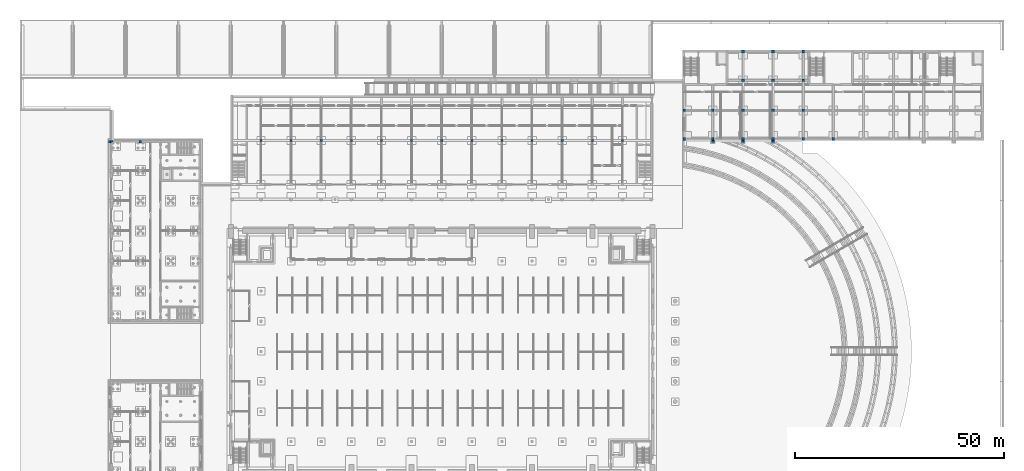
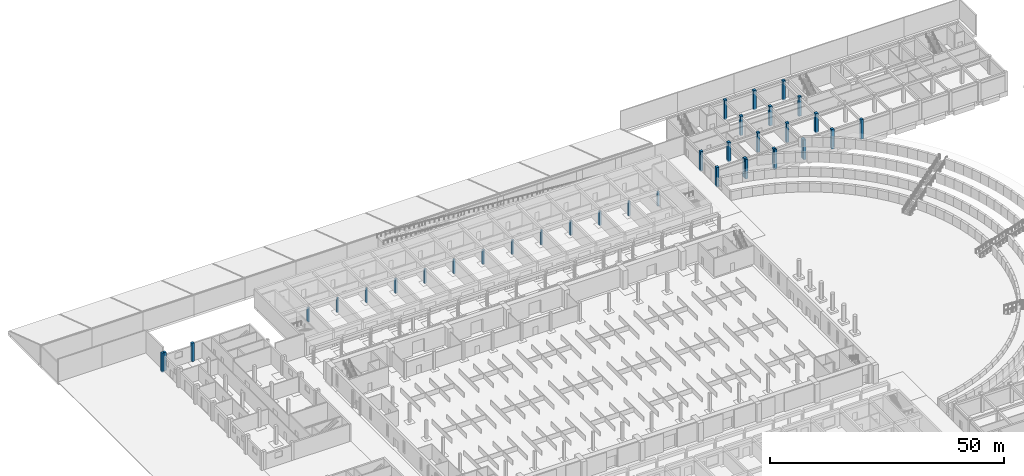
# One storey, part 18 of 73: 36 columns.
"""IFC4 building model written with IfcOpenShell, lengths in metres."""

from ifc_helpers import new_model, si_unit, direction, frame, origin, origin_2d, place, context, subcontext, project, spatial, rectangle, extrude, material, material_profile, profile_set, type_object, element, save


model = new_model("IFC4")

# Units and contexts
model_context = context("Model", 3, precision=1e-05, world=origin(), true_north=direction((0.0, 1.0)))
body_context = subcontext(model_context, "Body", "Model", "MODEL_VIEW")
ifc_project = project(units=[si_unit("LENGTHUNIT", "METRE"), si_unit("AREAUNIT", "SQUARE_METRE"), si_unit("VOLUMEUNIT", "CUBIC_METRE"), si_unit("PLANEANGLEUNIT", "RADIAN"), si_unit("MASSUNIT", "GRAM", prefix="KILO")], contexts=[model_context])

# Site, building, storey
site_placement = place(None, origin())
site = spatial("IfcSite", under=ifc_project, at=site_placement, CompositionType="ELEMENT")
building_placement = place(site_placement, origin())
building = spatial("IfcBuilding", under=site, at=building_placement, Name="Alderwick Market Hall", CompositionType="ELEMENT")
storey_placement = place(building_placement, origin())
storey = spatial("IfcBuildingStorey", under=building, at=storey_placement, Name="LG", CompositionType="ELEMENT", Elevation=0.0)

# Columns
ifc_material_1 = material(Name="Concrete 5000 psi (f'c 35 MPa)", Category="concrete")
ifc_material_profile_1 = material_profile(ifc_material_1, rectangle(XDim=0.5, YDim=0.5, at=origin_2d()), Name="A RC Column 500x500")
ifc_profile_set_1 = profile_set([ifc_material_profile_1], Name="Concrete 5000 psi (f'c 35 MPa)")
column_type_1 = type_object("IfcColumnType", Name="A RC Column 500x500", PredefinedType="COLUMN", material=ifc_profile_set_1)
for number, where, z_axis, x_axis, name in (
    (1, (57.60009765625, 129.60009765625, 0.0), (0.0, 0.0, 1.0), (1.0, 0.0, 0.0), "A.N.col.M00"),
    (2, (64.800048828125, 129.60009765625, 0.0), (0.0, 0.0, 1.0), (1.0, 0.0, 0.0), "A.N.col.M01"),
    (3, (72.0, 129.60009765625, 0.0), (0.0, 0.0, 1.0), (1.0, 0.0, 0.0), "A.N.col.M02"),
    (4, (79.199951171875, 129.60009765625, 0.0), (0.0, 0.0, 1.0), (1.0, 0.0, 0.0), "A.N.col.M03"),
    (5, (86.39990234375, 129.60009765625, 0.0), (0.0, 0.0, 1.0), (1.0, 0.0, 0.0), "A.N.col.M04"),
    (6, (93.60009765625, 129.60009765625, 0.0), (0.0, 0.0, 1.0), (1.0, 0.0, 0.0), "A.N.col.M05"),
    (7, (100.800048828125, 129.60009765625, 0.0), (0.0, 0.0, 1.0), (1.0, 0.0, 0.0), "A.N.col.M06"),
    (8, (108.0, 129.60009765625, 0.0), (0.0, 0.0, 1.0), (1.0, 0.0, 0.0), "A.N.col.M07"),
    (9, (115.199951171875, 129.60009765625, 0.0), (0.0, 0.0, 1.0), (1.0, 0.0, 0.0), "A.N.col.M08"),
    (10, (122.39990234375, 129.60009765625, 0.0), (0.0, 0.0, 1.0), (1.0, 0.0, 0.0), "A.N.col.M09"),
    (11, (129.60009765625, 129.60009765625, 0.0), (0.0, 0.0, 1.0), (1.0, 0.0, 0.0), "A.N.col.M10"),
    (12, (136.800048828125, 129.60009765625, 0.0), (0.0, 0.0, 1.0), (1.0, 0.0, 0.0), "A.N.col.M11"),
    (13, (144.0, 129.60009765625, 0.0), (0.0, 0.0, 1.0), (1.0, 0.0, 0.0), "A.N.col.M12"),
):
    element("IfcColumn", number, at=place(storey_placement, frame(where, z_axis=z_axis, x_axis=x_axis)), inside=storey, type_object=column_type_1, Name=name, PredefinedType="COLUMN", context=body_context, shape_type="SweptSolid", body=[
        extrude(rectangle(XDim=0.5, YDim=0.5, at=origin_2d()), origin(), (0.0, 0.0, 1.0), 3.699951171875),
    ])
ifc_material_profile_2 = material_profile(ifc_material_1, rectangle(XDim=0.5, YDim=0.60009765625, at=origin_2d()), Name="B Pilaster 500x600")
ifc_profile_set_2 = profile_set([ifc_material_profile_2], Name="Concrete 5000 psi (f'c 35 MPa)")
column_type_2 = type_object("IfcColumnType", Name="B Pilaster 500x600", PredefinedType="COLUMN", material=ifc_profile_set_2)
column_placement = place(storey_placement, frame((21.35009765625, 129.300048828125, -0.25), z_axis=(0.0, 0.0, 1.0), x_axis=(1.0, 0.0, 0.0)))
element("IfcColumn", 14, at=column_placement, inside=storey, type_object=column_type_2, Name="Pilaster W07", PredefinedType="COLUMN", context=body_context, shape_type="SweptSolid", body=[
    extrude(rectangle(XDim=0.5, YDim=0.60009765625, at=origin_2d()), origin(), (0.0, 0.0, 1.0), 5.050048828125),
])
ifc_material_2 = material(Name="Precast concrete 6000 psi (f'c 42 MPa)", Category="concrete")
ifc_material_profile_3 = material_profile(ifc_material_2, rectangle(XDim=0.60009765625, YDim=0.60009765625, at=origin_2d()), Name="B Precast Pier 600x600")
ifc_profile_set_3 = profile_set([ifc_material_profile_3], Name="Precast concrete 6000 psi (f'c 42 MPa)")
column_type_3 = type_object("IfcColumnType", Name="B Precast Pier 600x600", PredefinedType="COLUMN", material=ifc_profile_set_3)
for number, where, z_axis, x_axis, name in (
    (15, (21.89990234375, 129.300048828125, 0.0), (0.0, 0.0, 1.0), (1.0, 0.0, 0.0), "B.N.col.LG.003-003"),
    (16, (28.800048828125, 129.300048828125, 0.0), (0.0, 0.0, 1.0), (1.0, 0.0, 0.0), "B.N.col.LG.072-003"),
):
    element("IfcColumn", number, at=place(storey_placement, frame(where, z_axis=z_axis, x_axis=x_axis)), inside=storey, type_object=column_type_3, Name=name, PredefinedType="COLUMN", context=body_context, shape_type="SweptSolid", body=[
        extrude(rectangle(XDim=0.60009765625, YDim=0.60009765625, at=origin_2d()), origin(), (0.0, 0.0, 1.0), 4.800048828125),
    ])
ifc_material_profile_4 = material_profile(ifc_material_1, rectangle(XDim=0.64990234375, YDim=0.64990234375, at=origin_2d()), Name="RC 650x650")
ifc_profile_set_4 = profile_set([ifc_material_profile_4], Name="Concrete 5000 psi (f'c 35 MPa)")
column_type_4 = type_object("IfcColumnType", Name="F Column RC 650x650", PredefinedType="COLUMN", material=ifc_profile_set_4)
for number, where, z_axis, x_axis, name in (
    (17, (158.75, 129.949951171875, -0.300048828125), (0.0, 0.0, 1.0), (1.0, 0.0, 0.0), "F.col.LG.01"),
    (18, (165.60009765625, 129.949951171875, -0.300048828125), (0.0, 0.0, 1.0), (1.0, 0.0, 0.0), "F.col.LG.02"),
    (19, (172.800048828125, 129.949951171875, -0.300048828125), (0.0, 0.0, 1.0), (1.0, 0.0, 0.0), "F.col.LG.03"),
    (20, (180.0, 129.949951171875, -0.300048828125), (0.0, 0.0, 1.0), (1.0, 0.0, 0.0), "F.col.LG.04"),
    (21, (187.199951171875, 129.949951171875, -0.300048828125), (0.0, 0.0, 1.0), (1.0, 0.0, 0.0), "F.col.LG.05"),
    (22, (194.39990234375, 129.949951171875, -0.300048828125), (0.0, 0.0, 1.0), (1.0, 0.0, 0.0), "F.col.LG.06"),
    (23, (158.75, 136.800048828125, -0.300048828125), (0.0, 0.0, 1.0), (1.0, 0.0, 0.0), "F.col.LG.12"),
    (24, (165.60009765625, 136.800048828125, -0.300048828125), (0.0, 0.0, 1.0), (1.0, 0.0, 0.0), "F.col.LG.13"),
    (25, (172.800048828125, 136.800048828125, -0.300048828125), (0.0, 0.0, 1.0), (1.0, 0.0, 0.0), "F.col.LG.14"),
    (26, (180.0, 136.800048828125, -0.300048828125), (0.0, 0.0, 1.0), (1.0, 0.0, 0.0), "F.col.LG.15"),
    (27, (187.199951171875, 136.800048828125, -0.300048828125), (0.0, 0.0, 1.0), (1.0, 0.0, 0.0), "F.col.LG.16"),
    (28, (172.800048828125, 144.0, -0.300048828125), (0.0, 0.0, 1.0), (1.0, 0.0, 0.0), "F.col.LG.23"),
    (29, (180.0, 144.0, -0.300048828125), (0.0, 0.0, 1.0), (1.0, 0.0, 0.0), "F.col.LG.24"),
    (30, (187.199951171875, 144.0, -0.300048828125), (0.0, 0.0, 1.0), (1.0, 0.0, 0.0), "F.col.LG.25"),
    (31, (172.800048828125, 150.85009765625, -0.300048828125), (0.0, 0.0, 1.0), (1.0, 0.0, 0.0), "F.col.LG.29"),
    (32, (180.0, 150.85009765625, -0.300048828125), (0.0, 0.0, 1.0), (1.0, 0.0, 0.0), "F.col.LG.30"),
    (33, (187.199951171875, 150.85009765625, -0.300048828125), (0.0, 0.0, 1.0), (1.0, 0.0, 0.0), "F.col.LG.31"),
):
    element("IfcColumn", number, at=place(storey_placement, frame(where, z_axis=z_axis, x_axis=x_axis)), inside=storey, type_object=column_type_4, Name=name, PredefinedType="COLUMN", context=body_context, shape_type="SweptSolid", body=[
        extrude(rectangle(XDim=0.64990234375, YDim=0.64990234375, at=origin_2d()), origin(), (0.0, 0.0, 1.0), 5.10009765625),
    ])
ifc_material_profile_5 = material_profile(ifc_material_1, rectangle(XDim=0.60009765625, YDim=0.449951171875, at=origin_2d()), Name="PC 600x450")
ifc_profile_set_5 = profile_set([ifc_material_profile_5], Name="Concrete 5000 psi (f'c 35 MPa)")
column_type_5 = type_object("IfcColumnType", Name="F Pilaster Precast Concrete 600x450", PredefinedType="PILASTER", material=ifc_profile_set_5)
for number, where, z_axis, x_axis, name in (
    (34, (165.60009765625, 129.375, -0.300048828125), (0.0, 0.0, 1.0), (1.0, 0.0, 0.0), "F.pilaster.LG.001"),
    (35, (172.800048828125, 129.375, -0.300048828125), (0.0, 0.0, 1.0), (1.0, 0.0, 0.0), "F.pilaster.LG.005"),
    (36, (180.0, 129.375, -0.300048828125), (0.0, 0.0, 1.0), (1.0, 0.0, 0.0), "F.pilaster.LG.009"),
):
    element("IfcColumn", number, at=place(storey_placement, frame(where, z_axis=z_axis, x_axis=x_axis)), inside=storey, type_object=column_type_5, Name=name, PredefinedType="PILASTER", context=body_context, shape_type="SweptSolid", body=[
        extrude(rectangle(XDim=0.60009765625, YDim=0.449951171875, at=origin_2d()), origin(), (0.0, 0.0, 1.0), 5.10009765625),
    ])

save(model, "model.ifc")
